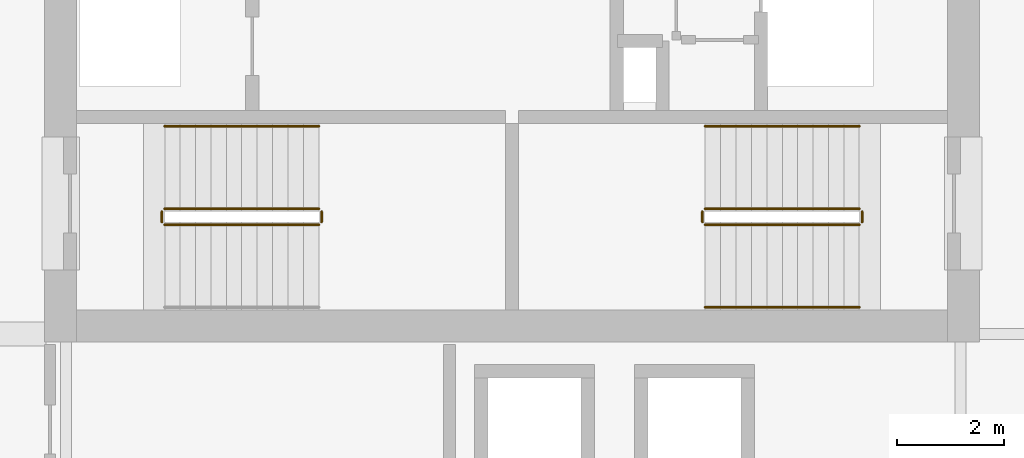
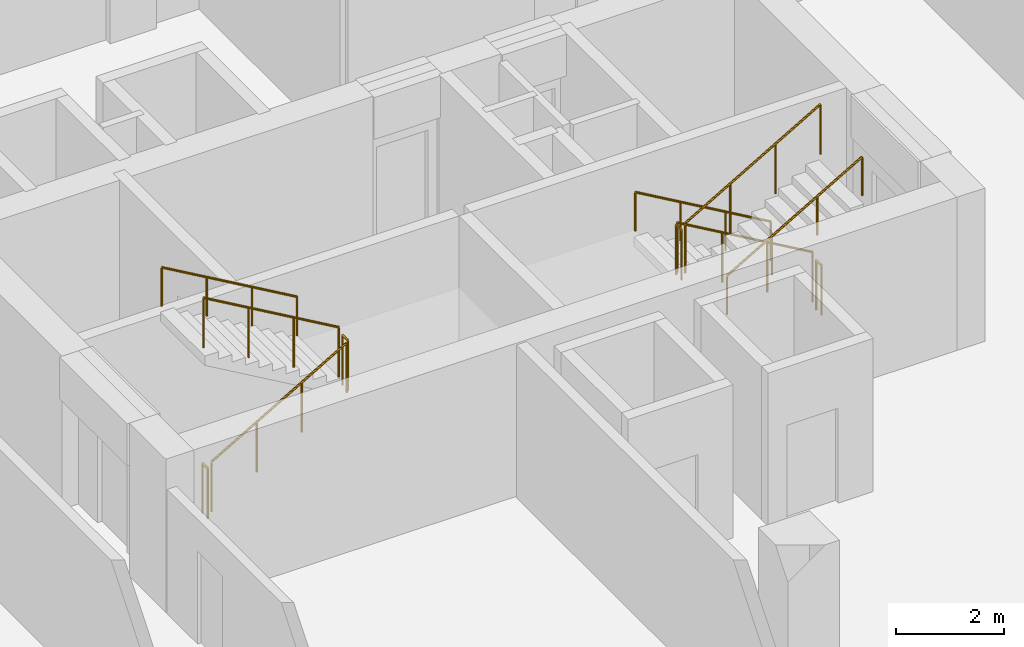
# One storey, part 13 of 15: 11 railings.
"""IFC4 building model written with IfcOpenShell, lengths in metres."""

import ifcopenshell
import ifcopenshell.guid

model = None  # the IFC model being written
_history = None  # IfcOwnerHistory: only IFC2X3 demands one
_inside = {}  # id of a spatial element -> (the spatial element, [elements in it])
_under = {}  # id of a project, library or spatial element -> (it, [spatial elements below it])
_declared = {}  # id of a project -> (the project, [libraries it declares])
_typed = {}  # id of a type object -> (the type object, [elements of that type])
_made_of = {}  # id of a material, layer set ... -> (it, [elements and type objects made of it])


def new_model(schema):
    """Start an empty IFC model of exactly this schema.

    Asked for "IFC4X3", IfcOpenShell would pick the latest addendum, in which some entities
    have other attributes; the version numbers below select the first issue.
    IFC2X3 requires an IfcOwnerHistory on every rooted entity: one is made here for all.
    """
    global model, _history
    if schema == "IFC4X3":
        model = ifcopenshell.file(schema_version=(4, 3, 0, 0))
    else:
        model = ifcopenshell.file(schema=schema)
    _inside.clear()
    _under.clear()
    _declared.clear()
    _typed.clear()
    _made_of.clear()
    _history = None
    if model.schema == "IFC2X3":
        org = make("IfcOrganization", Name="unknown")
        user = make(
            "IfcPersonAndOrganization",
            ThePerson=make("IfcPerson", FamilyName="unknown"),
            TheOrganization=org,
        )
        app = make(
            "IfcApplication",
            ApplicationDeveloper=org,
            Version="unknown",
            ApplicationFullName="unknown",
            ApplicationIdentifier="unknown",
        )
        _history = make(
            "IfcOwnerHistory",
            OwningUser=user,
            OwningApplication=app,
            ChangeAction="ADDED",
            CreationDate=0,
        )
    return model


def make(cls, **values):
    """One entity of the class cls with the attributes given. An attribute that is None is left unset."""
    return model.create_entity(
        cls, **{name: value for name, value in values.items() if value is not None}
    )


def rooted(cls, **values):
    """An entity with a GlobalId (a new one), such as an element, a storey or a relation."""
    return make(cls, GlobalId=ifcopenshell.guid.new(), OwnerHistory=_history, **values)


def si_unit(unit_type, name, prefix=None):
    """IfcSIUnit, for example si_unit("LENGTHUNIT", "METRE", prefix="MILLI")."""
    return make("IfcSIUnit", UnitType=unit_type, Prefix=prefix, Name=name)


def assignment(units):
    """IfcUnitAssignment: the units of a project."""
    return None if units is None else make("IfcUnitAssignment", Units=units)


def point(xyz):
    """IfcCartesianPoint."""
    return None if xyz is None else make("IfcCartesianPoint", Coordinates=xyz)


def direction(xyz):
    """IfcDirection."""
    return None if xyz is None else make("IfcDirection", DirectionRatios=xyz)


def frame(location, z_axis=None, x_axis=None):
    """IfcAxis2Placement3D, a coordinate frame: its origin and axes. An axis left out is left unset."""
    return make(
        "IfcAxis2Placement3D",
        Location=point(location),
        Axis=direction(z_axis),
        RefDirection=direction(x_axis),
    )


def frame_2d(location, x_axis=None):
    """IfcAxis2Placement2D, a coordinate frame in the plane: its origin and x axis."""
    return make(
        "IfcAxis2Placement2D", Location=point(location), RefDirection=direction(x_axis)
    )


def origin():
    """The frame at (0, 0, 0) with its axes left unset."""
    return frame((0.0, 0.0, 0.0))


def origin_2d():
    """The frame at (0, 0) in the plane with its x axis left unset."""
    return frame_2d((0.0, 0.0))


def place(relative_to, where):
    """IfcLocalPlacement: puts the frame where relative to a parent placement (None: the world)."""
    return make(
        "IfcLocalPlacement", PlacementRelTo=relative_to, RelativePlacement=where
    )


def context(
    kind, dimensions, precision=None, world=None, true_north=None, identifier=None
):
    """IfcGeometricRepresentationContext, for example the 3D "Model" context."""
    return make(
        "IfcGeometricRepresentationContext",
        ContextIdentifier=identifier,
        ContextType=kind,
        CoordinateSpaceDimension=dimensions,
        Precision=precision,
        WorldCoordinateSystem=world,
        TrueNorth=true_north,
    )


def subcontext(parent, identifier, kind, view, scale=None):
    """IfcGeometricRepresentationSubContext, for example "Body" below "Model"."""
    return make(
        "IfcGeometricRepresentationSubContext",
        ContextIdentifier=identifier,
        ContextType=kind,
        ParentContext=parent,
        TargetScale=scale,
        TargetView=view,
    )


def project(units=None, contexts=None):
    """IfcProject with its units and contexts."""
    return rooted(
        "IfcProject",
        Name="project",
        RepresentationContexts=contexts,
        UnitsInContext=assignment(units),
    )


def spatial(cls, under=None, at=None, **own):
    """A site, building, storey or space (cls), placed at a placement, below another one or the project."""
    s = rooted(cls, ObjectPlacement=at, **own)
    if under is not None:
        _under.setdefault(under.id(), (under, []))[1].append(s)
    return s


def profile(cls, at=None, kind="AREA", **sizes):
    """A parametric profile (cls). Its sizes go by their IFC names, for example OverallWidth=200.0."""
    return make(cls, ProfileType=kind, Position=at, **sizes)


def circle(**sizes):
    """IfcCircleProfileDef."""
    return profile("IfcCircleProfileDef", **sizes)


def extrude(swept, where, along, depth):
    """IfcExtrudedAreaSolid: the profile swept, set in the frame where, extruded along a direction by depth."""
    return make(
        "IfcExtrudedAreaSolid",
        SweptArea=swept,
        Position=where,
        ExtrudedDirection=direction(along),
        Depth=depth,
    )


def shape(context_of_items, identifier, shape_type, items):
    """IfcShapeRepresentation: the items that make up one representation, for example the "Body"."""
    return make(
        "IfcShapeRepresentation",
        ContextOfItems=context_of_items,
        RepresentationIdentifier=identifier,
        RepresentationType=shape_type,
        Items=items,
    )


def material(Name=None, Category=None):
    """IfcMaterial."""
    return make("IfcMaterial", Name=Name, Category=Category)


def made_of(thing, what):
    """Note that an element or type object is made of a material, layer set ...; save() writes the relation."""
    if what is not None:
        _made_of.setdefault(what.id(), (what, []))[1].append(thing)
    return thing


def type_object(cls, material=None, **own):
    """A type object (cls), such as IfcWallType, which elements share."""
    return made_of(rooted(cls, **own), material)


def element(
    cls,
    number,
    at=None,
    inside=None,
    cuts=None,
    type_object=None,
    material=None,
    context=None,
    identifier="Body",
    shape_type=None,
    held_by="IfcProductDefinitionShape",
    body=None,
    shapes=None,
    **own,
):
    """One element of the class cls, such as IfcWall. Its Tag is "e" and its number.

    at: its placement. inside: the storey or other place that contains it. cuts: it is an
    opening in that element (IfcRelVoidsElement). A single representation is given by context,
    identifier, shape_type and body (its items); several are given by shapes. held_by: the class
    of the entity that holds the representations. save() writes the other relations.
    """
    e = rooted(cls, Tag="e%d" % number, ObjectPlacement=at, **own)
    if body is not None:
        shapes = [shape(context, identifier, shape_type, body)]
    if shapes is not None:
        e.Representation = make(held_by, Representations=shapes)
    if inside is not None:
        _inside.setdefault(inside.id(), (inside, []))[1].append(e)
    if cuts is not None:
        rooted(
            "IfcRelVoidsElement", RelatingBuildingElement=cuts, RelatedOpeningElement=e
        )
    if type_object is not None:
        _typed.setdefault(type_object.id(), (type_object, []))[1].append(e)
    return made_of(e, material)


def aggregate(whole, parts):
    """IfcRelAggregates: a whole, such as a stair, and the parts it consists of."""
    return rooted("IfcRelAggregates", RelatingObject=whole, RelatedObjects=parts)


def save(model, path):
    """Write the relations noted so far, then the file.

    IfcRelAggregates (storeys below a building ...), IfcRelContainedInSpatialStructure (elements
    in a storey), IfcRelDefinesByType, IfcRelAssociatesMaterial and IfcRelDeclares: one each for
    every whole, place, type object, material and project.
    """
    for whole, parts in _under.values():
        aggregate(whole, parts)
    for where, things in _inside.values():
        rooted(
            "IfcRelContainedInSpatialStructure",
            RelatedElements=things,
            RelatingStructure=where,
        )
    for kind, things in _typed.values():
        rooted("IfcRelDefinesByType", RelatedObjects=things, RelatingType=kind)
    for what, things in _made_of.values():
        rooted("IfcRelAssociatesMaterial", RelatedObjects=things, RelatingMaterial=what)
    for by, libraries in _declared.values():
        rooted("IfcRelDeclares", RelatingContext=by, RelatedDefinitions=libraries)
    model.write(path)


model = new_model("IFC4")

# Units and contexts
model_context = context("Model", 3, precision=1e-05, world=origin(), true_north=direction((0.0, 1.0)))
body_context = subcontext(model_context, "Body", "Model", "MODEL_VIEW")
ifc_project = project(units=[si_unit("LENGTHUNIT", "METRE"), si_unit("AREAUNIT", "SQUARE_METRE"), si_unit("VOLUMEUNIT", "CUBIC_METRE"), si_unit("PLANEANGLEUNIT", "RADIAN"), si_unit("MASSUNIT", "GRAM", prefix="KILO")], contexts=[model_context])

# Site, building, storey
site_placement = place(None, origin())
site = spatial("IfcSite", under=ifc_project, at=site_placement, CompositionType="ELEMENT")
building_placement = place(site_placement, origin())
building = spatial("IfcBuilding", under=site, at=building_placement, Name="Koriwani Terraces Tower", CompositionType="ELEMENT")
storey_placement = place(building_placement, frame((0.0, 0.0, 193.89990234375)))
storey = spatial("IfcBuildingStorey", under=building, at=storey_placement, Name="L47", CompositionType="ELEMENT", Elevation=193.89990234375)

# Railings
ifc_material = material(Name="Steel ASTM A572 Grade 50", Category="steel")
railing_type_1 = type_object("IfcRailingType", Name="GUARD_STAIR_WELL_1120", PredefinedType="GUARDRAIL", material=ifc_material)
railing_1_placement = place(storey_placement, frame((43.85009765625, 18.85009765625, 0.168212890625)))
element("IfcRailing", 1, at=railing_1_placement, inside=storey, type_object=railing_type_1, Name="L47 ST-E1 stair guard 1", PredefinedType="GUARDRAIL", context=body_context, shape_type="SweptSolid", body=[
    extrude(circle(Radius=0.02392578125, at=origin_2d()), frame((0.0, 0.0, 1.1259765625), z_axis=(0.865038774852, 0.0, 0.501705010941), x_axis=(0.0, 1.0, 0.0)), (0.0, 0.0, 1.0), 3.352294921875),
    extrude(circle(Radius=0.02099609375, at=origin_2d()), origin(), (0.0, 0.0, 1.0), 1.101806640625),
    extrude(circle(Radius=0.02099609375, at=origin_2d()), frame((0.966552734375, 0.0, 0.560546875)), (0.0, 0.0, 1.0), 1.101806640625),
    extrude(circle(Radius=0.02099609375, at=origin_2d()), frame((1.933349609375, 0.0, 1.121337890625)), (0.0, 0.0, 1.0), 1.101806640625),
    extrude(circle(Radius=0.02099609375, at=origin_2d()), frame((2.89990234375, 0.0, 1.681884765625)), (0.0, 0.0, 1.0), 1.101806640625),
])
railing_2_placement = place(storey_placement, frame((46.800048828125, 18.89990234375, 1.85009765625)))
element("IfcRailing", 2, at=railing_2_placement, inside=storey, type_object=railing_type_1, Name="L47 ST-E1 stair guard 2", PredefinedType="GUARDRAIL", context=body_context, shape_type="SweptSolid", body=[
    extrude(circle(Radius=0.02392578125, at=origin_2d()), frame((0.0, 0.0, 1.1259765625), z_axis=(0.0, 1.0, 0.0), x_axis=(-1.0, 0.0, 0.0)), (0.0, 0.0, 1.0), 0.2001953125),
    extrude(circle(Radius=0.02099609375, at=origin_2d()), origin(), (0.0, 0.0, 1.0), 1.101806640625),
    extrude(circle(Radius=0.02099609375, at=origin_2d()), frame((0.0, 0.2001953125, 0.0)), (0.0, 0.0, 1.0), 1.101806640625),
])
railing_3_placement = place(storey_placement, frame((46.75, 19.14990234375, 2.018310546875)))
element("IfcRailing", 3, at=railing_3_placement, inside=storey, type_object=railing_type_1, Name="L47 ST-E1 stair guard 3", PredefinedType="GUARDRAIL", context=body_context, shape_type="SweptSolid", body=[
    extrude(circle(Radius=0.02392578125, at=origin_2d()), frame((0.0, 0.0, 1.1259765625), z_axis=(-0.865038774852, 0.0, 0.501705010941), x_axis=(0.0, -1.0, 0.0)), (0.0, 0.0, 1.0), 3.352294921875),
    extrude(circle(Radius=0.02099609375, at=origin_2d()), origin(), (0.0, 0.0, 1.0), 1.101806640625),
    extrude(circle(Radius=0.02099609375, at=origin_2d()), frame((-0.966552734375, 0.0, 0.560546875)), (0.0, 0.0, 1.0), 1.101806640625),
    extrude(circle(Radius=0.02099609375, at=origin_2d()), frame((-1.933349609375, 0.0, 1.121337890625)), (0.0, 0.0, 1.0), 1.101806640625),
    extrude(circle(Radius=0.02099609375, at=origin_2d()), frame((-2.89990234375, 0.0, 1.681884765625)), (0.0, 0.0, 1.0), 1.101806640625),
])
railing_4_placement = place(storey_placement, frame((43.800048828125, 18.89990234375, 0.0)))
element("IfcRailing", 4, at=railing_4_placement, inside=storey, type_object=railing_type_1, Name="L47 ST-E1 stair guard 4", PredefinedType="GUARDRAIL", context=body_context, shape_type="SweptSolid", body=[
    extrude(circle(Radius=0.02392578125, at=origin_2d()), frame((0.0, 0.0, 1.1259765625), z_axis=(0.0, 1.0, 0.0), x_axis=(-1.0, 0.0, 0.0)), (0.0, 0.0, 1.0), 0.2001953125),
    extrude(circle(Radius=0.02099609375, at=origin_2d()), origin(), (0.0, 0.0, 1.0), 1.101806640625),
    extrude(circle(Radius=0.02099609375, at=origin_2d()), frame((0.0, 0.2001953125, 0.0)), (0.0, 0.0, 1.0), 1.101806640625),
])
railing_5_placement = place(storey_placement, frame((56.89990234375, 19.14990234375, 0.168212890625)))
element("IfcRailing", 5, at=railing_5_placement, inside=storey, type_object=railing_type_1, Name="L47 ST-E2 stair guard 1", PredefinedType="GUARDRAIL", context=body_context, shape_type="SweptSolid", body=[
    extrude(circle(Radius=0.02392578125, at=origin_2d()), frame((0.0, 0.0, 1.1259765625), z_axis=(-0.865038774852, 0.0, 0.501705010941), x_axis=(0.0, -1.0, 0.0)), (0.0, 0.0, 1.0), 3.352294921875),
    extrude(circle(Radius=0.02099609375, at=origin_2d()), origin(), (0.0, 0.0, 1.0), 1.101806640625),
    extrude(circle(Radius=0.02099609375, at=origin_2d()), frame((-0.966552734375, 0.0, 0.560546875)), (0.0, 0.0, 1.0), 1.101806640625),
    extrude(circle(Radius=0.02099609375, at=origin_2d()), frame((-1.933349609375, 0.0, 1.121337890625)), (0.0, 0.0, 1.0), 1.101806640625),
    extrude(circle(Radius=0.02099609375, at=origin_2d()), frame((-2.89990234375, 0.0, 1.681884765625)), (0.0, 0.0, 1.0), 1.101806640625),
])
railing_6_placement = place(storey_placement, frame((53.949951171875, 19.10009765625, 1.85009765625)))
element("IfcRailing", 6, at=railing_6_placement, inside=storey, type_object=railing_type_1, Name="L47 ST-E2 stair guard 2", PredefinedType="GUARDRAIL", context=body_context, shape_type="SweptSolid", body=[
    extrude(circle(Radius=0.02392578125, at=origin_2d()), frame((0.0, 0.0, 1.1259765625), z_axis=(0.0, -1.0, 0.0), x_axis=(1.0, 0.0, 0.0)), (0.0, 0.0, 1.0), 0.2001953125),
    extrude(circle(Radius=0.02099609375, at=origin_2d()), origin(), (0.0, 0.0, 1.0), 1.101806640625),
    extrude(circle(Radius=0.02099609375, at=origin_2d()), frame((0.0, -0.2001953125, 0.0)), (0.0, 0.0, 1.0), 1.101806640625),
])
railing_7_placement = place(storey_placement, frame((54.0, 18.85009765625, 2.018310546875)))
element("IfcRailing", 7, at=railing_7_placement, inside=storey, type_object=railing_type_1, Name="L47 ST-E2 stair guard 3", PredefinedType="GUARDRAIL", context=body_context, shape_type="SweptSolid", body=[
    extrude(circle(Radius=0.02392578125, at=origin_2d()), frame((0.0, 0.0, 1.1259765625), z_axis=(0.865038774852, 0.0, 0.501705010941), x_axis=(0.0, 1.0, 0.0)), (0.0, 0.0, 1.0), 3.352294921875),
    extrude(circle(Radius=0.02099609375, at=origin_2d()), origin(), (0.0, 0.0, 1.0), 1.101806640625),
    extrude(circle(Radius=0.02099609375, at=origin_2d()), frame((0.966552734375, 0.0, 0.560546875)), (0.0, 0.0, 1.0), 1.101806640625),
    extrude(circle(Radius=0.02099609375, at=origin_2d()), frame((1.933349609375, 0.0, 1.121337890625)), (0.0, 0.0, 1.0), 1.101806640625),
    extrude(circle(Radius=0.02099609375, at=origin_2d()), frame((2.89990234375, 0.0, 1.681884765625)), (0.0, 0.0, 1.0), 1.101806640625),
])
railing_8_placement = place(storey_placement, frame((56.949951171875, 19.10009765625, 0.0)))
element("IfcRailing", 8, at=railing_8_placement, inside=storey, type_object=railing_type_1, Name="L47 ST-E2 stair guard 4", PredefinedType="GUARDRAIL", context=body_context, shape_type="SweptSolid", body=[
    extrude(circle(Radius=0.02392578125, at=origin_2d()), frame((0.0, 0.0, 1.1259765625), z_axis=(0.0, -1.0, 0.0), x_axis=(1.0, 0.0, 0.0)), (0.0, 0.0, 1.0), 0.2001953125),
    extrude(circle(Radius=0.02099609375, at=origin_2d()), origin(), (0.0, 0.0, 1.0), 1.101806640625),
    extrude(circle(Radius=0.02099609375, at=origin_2d()), frame((0.0, -0.2001953125, 0.0)), (0.0, 0.0, 1.0), 1.101806640625),
])
railing_type_2 = type_object("IfcRailingType", Name="HANDRAIL_STAIR_920", PredefinedType="HANDRAIL", material=ifc_material)
for number, where, name in (
    (9, (46.75, 20.699951171875, 2.018310546875), "L47 ST-E1 stair handrail 2"),
    (10, (56.89990234375, 20.699951171875, 0.168212890625), "L47 ST-E2 stair handrail 1"),
):
    element("IfcRailing", number, at=place(storey_placement, frame(where)), inside=storey, type_object=railing_type_2, Name=name, PredefinedType="HANDRAIL", context=body_context, shape_type="SweptSolid", body=[
        extrude(circle(Radius=0.02392578125, at=origin_2d()), frame((0.0, 0.0, 0.8759765625), z_axis=(-0.865038774852, 0.0, 0.501705010941), x_axis=(0.0, -1.0, 0.0)), (0.0, 0.0, 1.0), 3.352294921875),
        extrude(circle(Radius=0.02099609375, at=origin_2d()), origin(), (0.0, 0.0, 1.0), 0.851806640625),
        extrude(circle(Radius=0.02099609375, at=origin_2d()), frame((-0.966552734375, 0.0, 0.560546875)), (0.0, 0.0, 1.0), 0.851806640625),
        extrude(circle(Radius=0.02099609375, at=origin_2d()), frame((-1.933349609375, 0.0, 1.121337890625)), (0.0, 0.0, 1.0), 0.851806640625),
        extrude(circle(Radius=0.02099609375, at=origin_2d()), frame((-2.89990234375, 0.0, 1.681884765625)), (0.0, 0.0, 1.0), 0.851806640625),
    ])
railing_9_placement = place(storey_placement, frame((54.0, 17.300048828125, 2.018310546875)))
element("IfcRailing", 11, at=railing_9_placement, inside=storey, type_object=railing_type_2, Name="L47 ST-E2 stair handrail 2", PredefinedType="HANDRAIL", context=body_context, shape_type="SweptSolid", body=[
    extrude(circle(Radius=0.02392578125, at=origin_2d()), frame((0.0, 0.0, 0.8759765625), z_axis=(0.865038774852, 0.0, 0.501705010941), x_axis=(0.0, 1.0, 0.0)), (0.0, 0.0, 1.0), 3.352294921875),
    extrude(circle(Radius=0.02099609375, at=origin_2d()), origin(), (0.0, 0.0, 1.0), 0.851806640625),
    extrude(circle(Radius=0.02099609375, at=origin_2d()), frame((0.966552734375, 0.0, 0.560546875)), (0.0, 0.0, 1.0), 0.851806640625),
    extrude(circle(Radius=0.02099609375, at=origin_2d()), frame((1.933349609375, 0.0, 1.121337890625)), (0.0, 0.0, 1.0), 0.851806640625),
    extrude(circle(Radius=0.02099609375, at=origin_2d()), frame((2.89990234375, 0.0, 1.681884765625)), (0.0, 0.0, 1.0), 0.851806640625),
])

save(model, "model.ifc")
